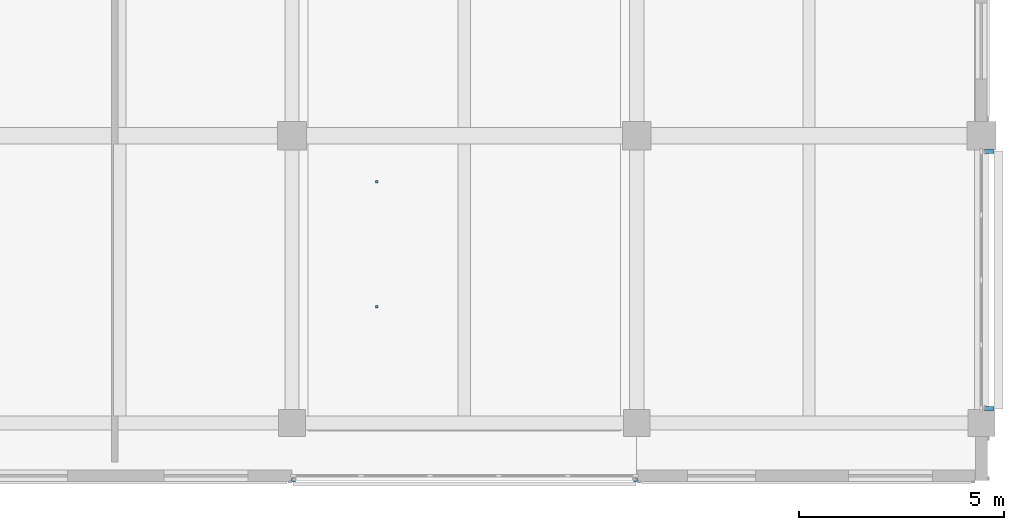
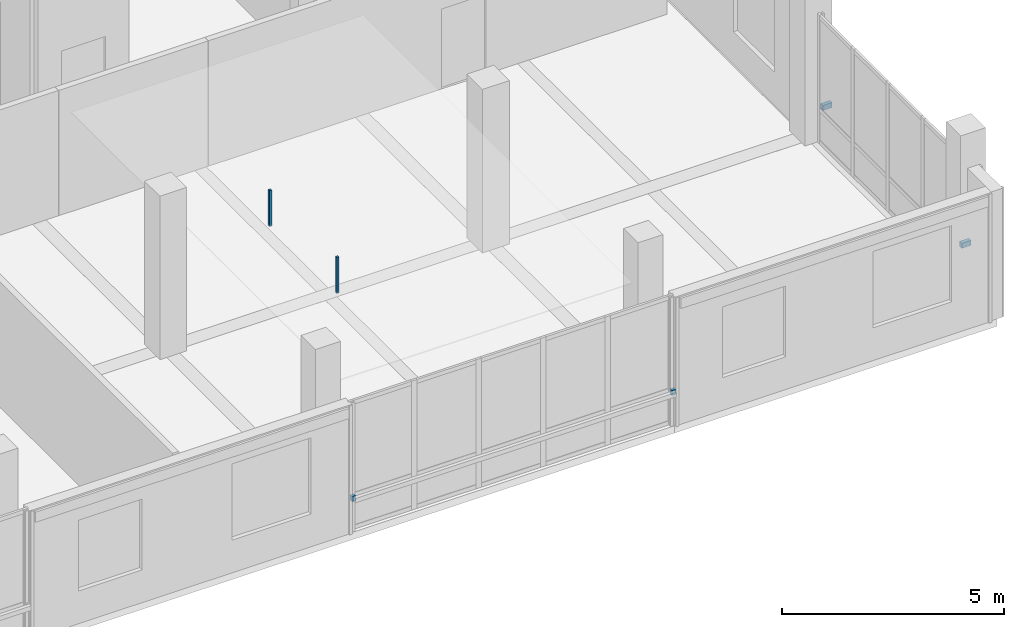
# One storey, part 14 of 28: 6 discrete accessories.
"""IFC4 building model written with IfcOpenShell, lengths in metres."""

import ifcopenshell
import ifcopenshell.guid

model = None  # the IFC model being written
_history = None  # IfcOwnerHistory: only IFC2X3 demands one
_inside = {}  # id of a spatial element -> (the spatial element, [elements in it])
_under = {}  # id of a project, library or spatial element -> (it, [spatial elements below it])
_declared = {}  # id of a project -> (the project, [libraries it declares])
_typed = {}  # id of a type object -> (the type object, [elements of that type])
_made_of = {}  # id of a material, layer set ... -> (it, [elements and type objects made of it])


def new_model(schema):
    """Start an empty IFC model of exactly this schema.

    Asked for "IFC4X3", IfcOpenShell would pick the latest addendum, in which some entities
    have other attributes; the version numbers below select the first issue.
    IFC2X3 requires an IfcOwnerHistory on every rooted entity: one is made here for all.
    """
    global model, _history
    if schema == "IFC4X3":
        model = ifcopenshell.file(schema_version=(4, 3, 0, 0))
    else:
        model = ifcopenshell.file(schema=schema)
    _inside.clear()
    _under.clear()
    _declared.clear()
    _typed.clear()
    _made_of.clear()
    _history = None
    if model.schema == "IFC2X3":
        org = make("IfcOrganization", Name="unknown")
        user = make(
            "IfcPersonAndOrganization",
            ThePerson=make("IfcPerson", FamilyName="unknown"),
            TheOrganization=org,
        )
        app = make(
            "IfcApplication",
            ApplicationDeveloper=org,
            Version="unknown",
            ApplicationFullName="unknown",
            ApplicationIdentifier="unknown",
        )
        _history = make(
            "IfcOwnerHistory",
            OwningUser=user,
            OwningApplication=app,
            ChangeAction="ADDED",
            CreationDate=0,
        )
    return model


def make(cls, **values):
    """One entity of the class cls with the attributes given. An attribute that is None is left unset."""
    return model.create_entity(
        cls, **{name: value for name, value in values.items() if value is not None}
    )


def rooted(cls, **values):
    """An entity with a GlobalId (a new one), such as an element, a storey or a relation."""
    return make(cls, GlobalId=ifcopenshell.guid.new(), OwnerHistory=_history, **values)


def si_unit(unit_type, name, prefix=None):
    """IfcSIUnit, for example si_unit("LENGTHUNIT", "METRE", prefix="MILLI")."""
    return make("IfcSIUnit", UnitType=unit_type, Prefix=prefix, Name=name)


def assignment(units):
    """IfcUnitAssignment: the units of a project."""
    return None if units is None else make("IfcUnitAssignment", Units=units)


def point(xyz):
    """IfcCartesianPoint."""
    return None if xyz is None else make("IfcCartesianPoint", Coordinates=xyz)


def direction(xyz):
    """IfcDirection."""
    return None if xyz is None else make("IfcDirection", DirectionRatios=xyz)


def frame(location, z_axis=None, x_axis=None):
    """IfcAxis2Placement3D, a coordinate frame: its origin and axes. An axis left out is left unset."""
    return make(
        "IfcAxis2Placement3D",
        Location=point(location),
        Axis=direction(z_axis),
        RefDirection=direction(x_axis),
    )


def frame_2d(location, x_axis=None):
    """IfcAxis2Placement2D, a coordinate frame in the plane: its origin and x axis."""
    return make(
        "IfcAxis2Placement2D", Location=point(location), RefDirection=direction(x_axis)
    )


def origin():
    """The frame at (0, 0, 0) with its axes left unset."""
    return frame((0.0, 0.0, 0.0))


def origin_2d():
    """The frame at (0, 0) in the plane with its x axis left unset."""
    return frame_2d((0.0, 0.0))


def place(relative_to, where):
    """IfcLocalPlacement: puts the frame where relative to a parent placement (None: the world)."""
    return make(
        "IfcLocalPlacement", PlacementRelTo=relative_to, RelativePlacement=where
    )


def context(
    kind, dimensions, precision=None, world=None, true_north=None, identifier=None
):
    """IfcGeometricRepresentationContext, for example the 3D "Model" context."""
    return make(
        "IfcGeometricRepresentationContext",
        ContextIdentifier=identifier,
        ContextType=kind,
        CoordinateSpaceDimension=dimensions,
        Precision=precision,
        WorldCoordinateSystem=world,
        TrueNorth=true_north,
    )


def subcontext(parent, identifier, kind, view, scale=None):
    """IfcGeometricRepresentationSubContext, for example "Body" below "Model"."""
    return make(
        "IfcGeometricRepresentationSubContext",
        ContextIdentifier=identifier,
        ContextType=kind,
        ParentContext=parent,
        TargetScale=scale,
        TargetView=view,
    )


def project(units=None, contexts=None):
    """IfcProject with its units and contexts."""
    return rooted(
        "IfcProject",
        Name="project",
        RepresentationContexts=contexts,
        UnitsInContext=assignment(units),
    )


def spatial(cls, under=None, at=None, **own):
    """A site, building, storey or space (cls), placed at a placement, below another one or the project."""
    s = rooted(cls, ObjectPlacement=at, **own)
    if under is not None:
        _under.setdefault(under.id(), (under, []))[1].append(s)
    return s


def profile(cls, at=None, kind="AREA", **sizes):
    """A parametric profile (cls). Its sizes go by their IFC names, for example OverallWidth=200.0."""
    return make(cls, ProfileType=kind, Position=at, **sizes)


def rectangle(**sizes):
    """IfcRectangleProfileDef."""
    return profile("IfcRectangleProfileDef", **sizes)


def extrude(swept, where, along, depth):
    """IfcExtrudedAreaSolid: the profile swept, set in the frame where, extruded along a direction by depth."""
    return make(
        "IfcExtrudedAreaSolid",
        SweptArea=swept,
        Position=where,
        ExtrudedDirection=direction(along),
        Depth=depth,
    )


def shape(context_of_items, identifier, shape_type, items):
    """IfcShapeRepresentation: the items that make up one representation, for example the "Body"."""
    return make(
        "IfcShapeRepresentation",
        ContextOfItems=context_of_items,
        RepresentationIdentifier=identifier,
        RepresentationType=shape_type,
        Items=items,
    )


def material(Name=None, Category=None):
    """IfcMaterial."""
    return make("IfcMaterial", Name=Name, Category=Category)


def made_of(thing, what):
    """Note that an element or type object is made of a material, layer set ...; save() writes the relation."""
    if what is not None:
        _made_of.setdefault(what.id(), (what, []))[1].append(thing)
    return thing


def type_object(cls, material=None, **own):
    """A type object (cls), such as IfcWallType, which elements share."""
    return made_of(rooted(cls, **own), material)


def element(
    cls,
    number,
    at=None,
    inside=None,
    cuts=None,
    type_object=None,
    material=None,
    context=None,
    identifier="Body",
    shape_type=None,
    held_by="IfcProductDefinitionShape",
    body=None,
    shapes=None,
    **own,
):
    """One element of the class cls, such as IfcWall. Its Tag is "e" and its number.

    at: its placement. inside: the storey or other place that contains it. cuts: it is an
    opening in that element (IfcRelVoidsElement). A single representation is given by context,
    identifier, shape_type and body (its items); several are given by shapes. held_by: the class
    of the entity that holds the representations. save() writes the other relations.
    """
    e = rooted(cls, Tag="e%d" % number, ObjectPlacement=at, **own)
    if body is not None:
        shapes = [shape(context, identifier, shape_type, body)]
    if shapes is not None:
        e.Representation = make(held_by, Representations=shapes)
    if inside is not None:
        _inside.setdefault(inside.id(), (inside, []))[1].append(e)
    if cuts is not None:
        rooted(
            "IfcRelVoidsElement", RelatingBuildingElement=cuts, RelatedOpeningElement=e
        )
    if type_object is not None:
        _typed.setdefault(type_object.id(), (type_object, []))[1].append(e)
    return made_of(e, material)


def aggregate(whole, parts):
    """IfcRelAggregates: a whole, such as a stair, and the parts it consists of."""
    return rooted("IfcRelAggregates", RelatingObject=whole, RelatedObjects=parts)


def save(model, path):
    """Write the relations noted so far, then the file.

    IfcRelAggregates (storeys below a building ...), IfcRelContainedInSpatialStructure (elements
    in a storey), IfcRelDefinesByType, IfcRelAssociatesMaterial and IfcRelDeclares: one each for
    every whole, place, type object, material and project.
    """
    for whole, parts in _under.values():
        aggregate(whole, parts)
    for where, things in _inside.values():
        rooted(
            "IfcRelContainedInSpatialStructure",
            RelatedElements=things,
            RelatingStructure=where,
        )
    for kind, things in _typed.values():
        rooted("IfcRelDefinesByType", RelatedObjects=things, RelatingType=kind)
    for what, things in _made_of.values():
        rooted("IfcRelAssociatesMaterial", RelatedObjects=things, RelatingMaterial=what)
    for by, libraries in _declared.values():
        rooted("IfcRelDeclares", RelatingContext=by, RelatedDefinitions=libraries)
    model.write(path)


model = new_model("IFC4")

# Units and contexts
model_context = context("Model", 3, precision=1e-05, world=origin(), true_north=direction((0.0, 1.0)))
body_context = subcontext(model_context, "Body", "Model", "MODEL_VIEW")
ifc_project = project(units=[si_unit("LENGTHUNIT", "METRE"), si_unit("AREAUNIT", "SQUARE_METRE"), si_unit("VOLUMEUNIT", "CUBIC_METRE"), si_unit("PLANEANGLEUNIT", "RADIAN"), si_unit("MASSUNIT", "GRAM", prefix="KILO")], contexts=[model_context])

# Site, building, storey
site_placement = place(None, origin())
site = spatial("IfcSite", under=ifc_project, at=site_placement, CompositionType="ELEMENT")
building_placement = place(site_placement, origin())
building = spatial("IfcBuilding", under=site, at=building_placement, Name="Telukmera Botanical Conservatory", CompositionType="ELEMENT")
storey_placement = place(building_placement, frame((0.0, 0.0, 51.0)))
storey = spatial("IfcBuildingStorey", under=building, at=storey_placement, Name="L11", CompositionType="ELEMENT", Elevation=51.0)

# Discrete accessories
ifc_material = material(Name="Steel S355", Category="steel")
discrete_accessory_type_1 = type_object("IfcDiscreteAccessoryType", Name="ACC-CEIL-HGR", PredefinedType="BRACKET", material=ifc_material)
for number, where, z_axis, x_axis, name in (
    (1, (86.069091796875, 13.4375, 3.31982421875), (0.0, 0.0, 1.0), (1.0, 0.0, 0.0), "L11 Suspended Ceiling Hanger Rod 023-1"),
    (2, (86.069091796875, 16.47509765625, 3.31982421875), (0.0, 0.0, 1.0), (1.0, 0.0, 0.0), "L11 Suspended Ceiling Hanger Rod 023-2"),
):
    element("IfcDiscreteAccessory", number, at=place(storey_placement, frame(where, z_axis=z_axis, x_axis=x_axis)), inside=storey, type_object=discrete_accessory_type_1, Name=name, PredefinedType="BRACKET", context=body_context, shape_type="SweptSolid", body=[
        extrude(rectangle(XDim=0.06005859375, YDim=0.06005859375, at=origin_2d()), origin(), (0.0, 0.0, 1.0), 0.985107421875),
    ])
discrete_accessory_type_2 = type_object("IfcDiscreteAccessoryType", Name="Structural Steel Facade Outrigger Fin Bracket", PredefinedType="BRACKET", material=ifc_material)
for number, where, z_axis, x_axis, name in (
    (3, (84.031982421875, 9.205078125, 0.8798828125), (0.0, 0.0, 1.0), (1.0, 0.0, 0.0), "Facade Outrigger Bracket V4:L11:S4 A"),
    (4, (92.367919921875, 9.205078125, 0.8798828125), (0.0, 0.0, 1.0), (1.0, 0.0, 0.0), "Facade Outrigger Bracket V4:L11:S4 B"),
):
    element("IfcDiscreteAccessory", number, at=place(storey_placement, frame(where, z_axis=z_axis, x_axis=x_axis)), inside=storey, type_object=discrete_accessory_type_2, Name=name, PredefinedType="BRACKET", context=body_context, shape_type="SweptSolid", body=[
        extrude(rectangle(XDim=0.10009765625, YDim=0.090087890625, at=origin_2d()), origin(), (0.0, 0.0, 1.0), 0.139892578125),
    ])
for number, where, z_axis, x_axis, name in (
    (5, (100.989990234375, 10.95703125, 0.8798828125), (0.0, 0.0, 1.0), (0.0, 1.0, 0.0), "Facade Outrigger Bracket V4:L11:E1 A"),
    (6, (100.989990234375, 17.218017578125, 0.8798828125), (0.0, 0.0, 1.0), (0.0, 1.0, 0.0), "Facade Outrigger Bracket V4:L11:E1 B"),
):
    element("IfcDiscreteAccessory", number, at=place(storey_placement, frame(where, z_axis=z_axis, x_axis=x_axis)), inside=storey, type_object=discrete_accessory_type_2, Name=name, PredefinedType="BRACKET", context=body_context, shape_type="SweptSolid", body=[
        extrude(rectangle(XDim=0.10009765625, YDim=0.239990234375, at=origin_2d()), origin(), (0.0, 0.0, 1.0), 0.139892578125),
    ])

save(model, "model.ifc")
